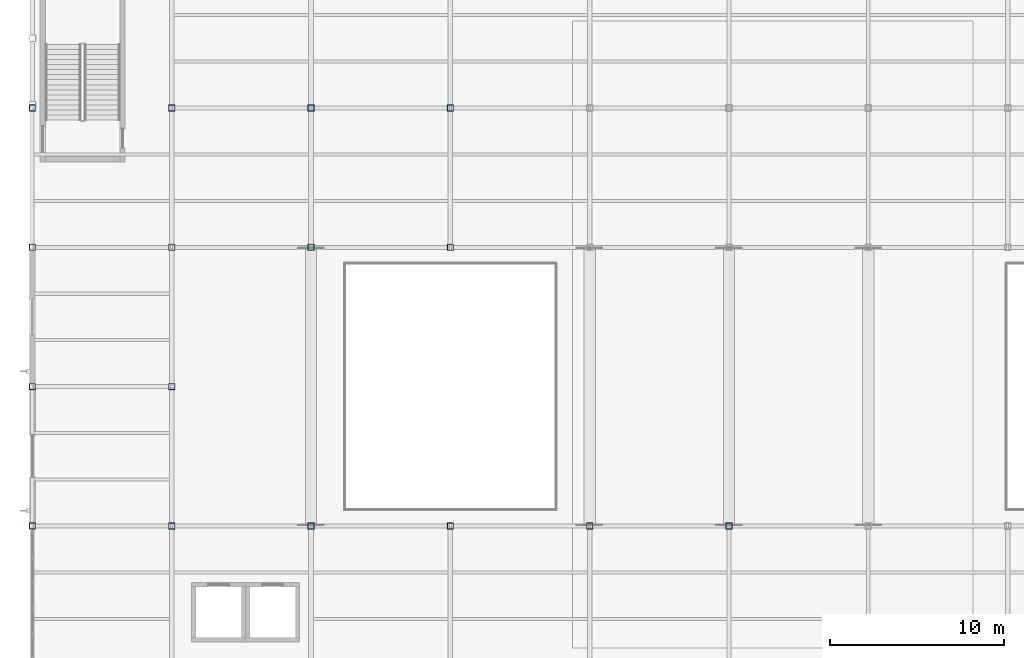
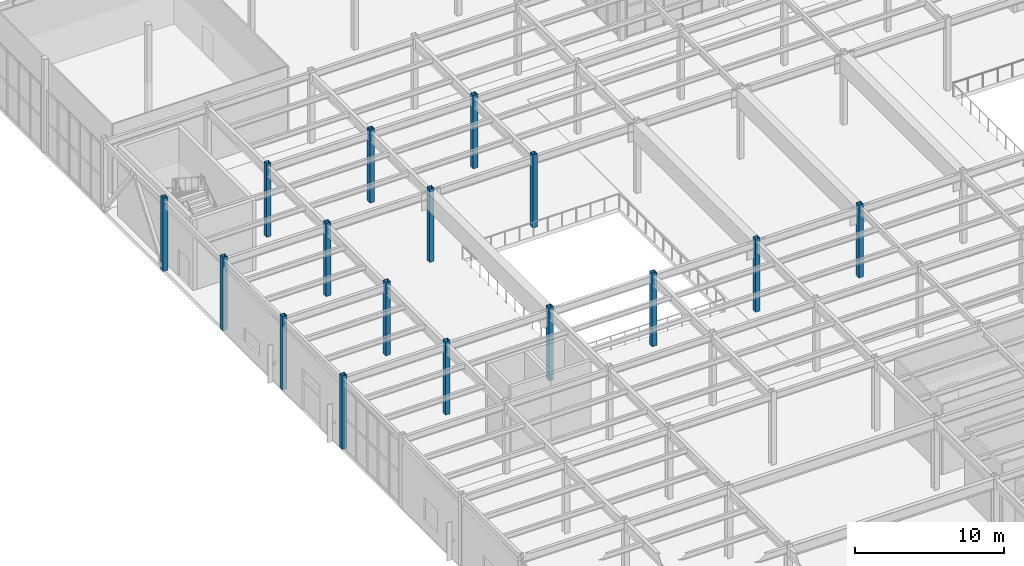
# One storey, part 13 of 82: 16 columns.
"""IFC4 building model written with IfcOpenShell, lengths in metres."""

from ifc_helpers import new_model, si_unit, direction, frame, origin, origin_2d, place, context, subcontext, project, spatial, hollow_rectangle, extrude, material, material_profile, profile_set, type_object, element, save


model = new_model("IFC4")

# Units and contexts
model_context = context("Model", 3, precision=1e-05, world=origin(), true_north=direction((0.0, 1.0)))
body_context = subcontext(model_context, "Body", "Model", "MODEL_VIEW")
ifc_project = project(units=[si_unit("LENGTHUNIT", "METRE"), si_unit("AREAUNIT", "SQUARE_METRE"), si_unit("VOLUMEUNIT", "CUBIC_METRE"), si_unit("PLANEANGLEUNIT", "RADIAN"), si_unit("MASSUNIT", "GRAM", prefix="KILO")], contexts=[model_context])

# Site, building, storey
site_placement = place(None, origin())
site = spatial("IfcSite", under=ifc_project, at=site_placement, CompositionType="ELEMENT")
building_placement = place(site_placement, origin())
building = spatial("IfcBuilding", under=site, at=building_placement, Name="Drelvath Fold Interchange", CompositionType="ELEMENT")
storey_placement = place(building_placement, origin())
storey = spatial("IfcBuildingStorey", under=building, at=storey_placement, Name="L00", CompositionType="ELEMENT", Elevation=0.0)

# Columns
ifc_material = material(Name="Steel ASTM A500 Grade C", Category="steel")
ifc_material_profile = material_profile(ifc_material, hollow_rectangle(XDim=0.35595703125, YDim=0.35595703125, WallThickness=0.014892578125, at=origin_2d()), Name="HSS14X14X5/8")
ifc_profile_set = profile_set([ifc_material_profile], Name="Steel ASTM A500 Grade C")
column_type = type_object("IfcColumnType", Name="COL-HSS356", PredefinedType="COLUMN", material=ifc_profile_set)
for number, where, z_axis, x_axis, name in (
    (1, (4.0, 67.0, 0.0), (0.0, 0.0, 1.0), (1.0, 0.0, 0.0), "L00 column (4,67)"),
    (2, (4.0, 75.0, 0.0), (0.0, 0.0, 1.0), (1.0, 0.0, 0.0), "L00 column (4,75)"),
    (3, (4.0, 83.0, 0.0), (0.0, 0.0, 1.0), (1.0, 0.0, 0.0), "L00 column (4,83)"),
    (4, (4.0, 91.0, 0.0), (0.0, 0.0, 1.0), (1.0, 0.0, 0.0), "L00 column (4,91)"),
    (5, (12.0, 67.0, 0.0), (0.0, 0.0, 1.0), (1.0, 0.0, 0.0), "L00 column (12,67)"),
    (6, (12.0, 75.0, 0.0), (0.0, 0.0, 1.0), (1.0, 0.0, 0.0), "L00 column (12,75)"),
    (7, (12.0, 83.0, 0.0), (0.0, 0.0, 1.0), (1.0, 0.0, 0.0), "L00 column (12,83)"),
    (8, (12.0, 91.0, 0.0), (0.0, 0.0, 1.0), (1.0, 0.0, 0.0), "L00 column (12,91)"),
    (9, (20.0, 67.0, 0.0), (0.0, 0.0, 1.0), (1.0, 0.0, 0.0), "L00 column (20,67)"),
    (10, (20.0, 83.0, 0.0), (0.0, 0.0, 1.0), (1.0, 0.0, 0.0), "L00 column (20,83)"),
    (11, (20.0, 91.0, 0.0), (0.0, 0.0, 1.0), (1.0, 0.0, 0.0), "L00 column (20,91)"),
    (12, (28.0, 67.0, 0.0), (0.0, 0.0, 1.0), (1.0, 0.0, 0.0), "L00 column (28,67)"),
    (13, (28.0, 83.0, 0.0), (0.0, 0.0, 1.0), (1.0, 0.0, 0.0), "L00 column (28,83)"),
    (14, (28.0, 91.0, 0.0), (0.0, 0.0, 1.0), (1.0, 0.0, 0.0), "L00 column (28,91)"),
    (15, (36.0, 67.0, 0.0), (0.0, 0.0, 1.0), (1.0, 0.0, 0.0), "L00 column (36,67)"),
    (16, (44.0, 67.0, 0.0), (0.0, 0.0, 1.0), (1.0, 0.0, 0.0), "L00 column (44,67)"),
):
    element("IfcColumn", number, at=place(storey_placement, frame(where, z_axis=z_axis, x_axis=x_axis)), inside=storey, type_object=column_type, Name=name, PredefinedType="COLUMN", context=body_context, shape_type="SweptSolid", body=[
        extrude(hollow_rectangle(XDim=0.35595703125, YDim=0.35595703125, WallThickness=0.014892578125, at=origin_2d()), origin(), (0.0, 0.0, 1.0), 6.0),
    ])

save(model, "model.ifc")
